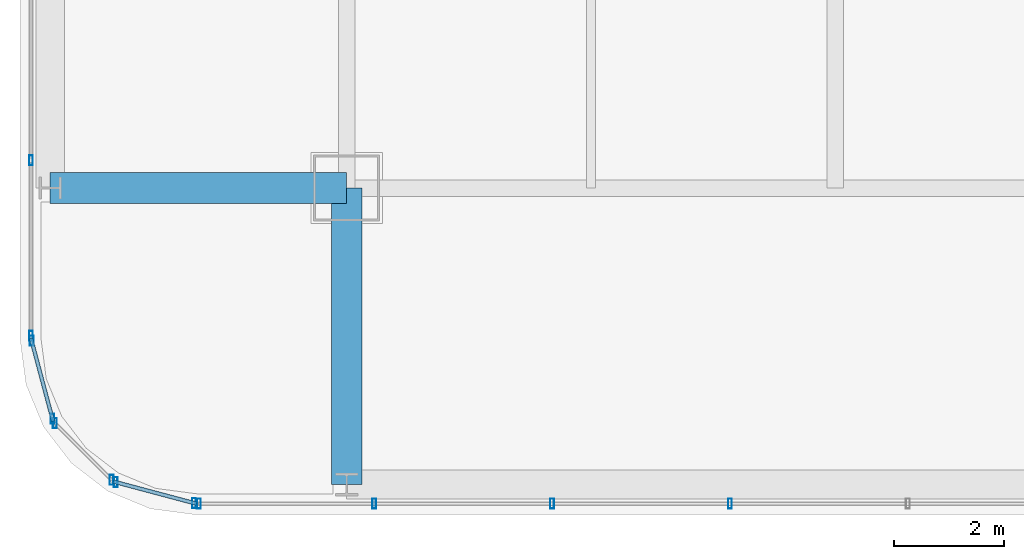
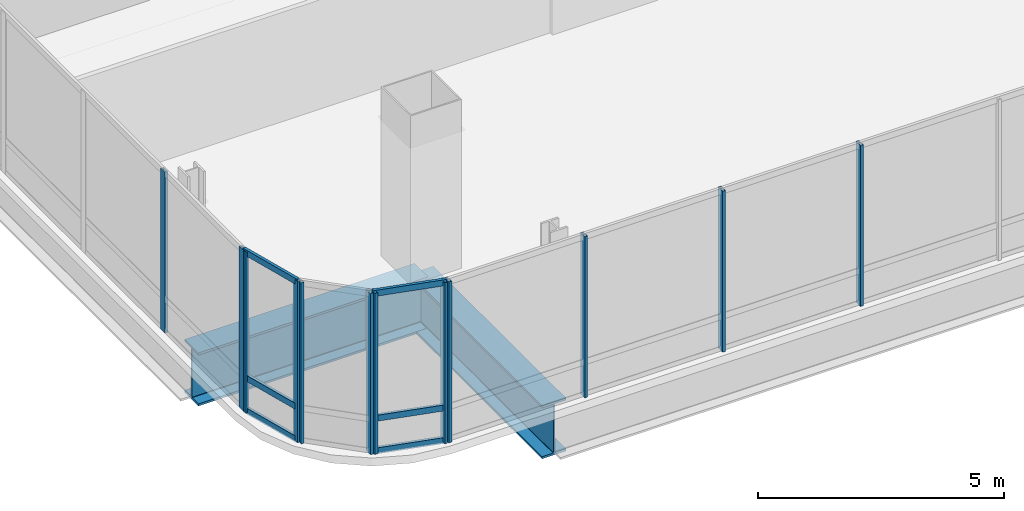
# One storey, part 2 of 43: 18 members, 2 beams, 5 elements without a shape of their own.
"""IFC4 building model written with IfcOpenShell, lengths in metres."""

from ifc_helpers import new_model, si_unit, direction, frame, origin, origin_2d, place, context, subcontext, project, spatial, hollow_rectangle, i_section, extrude, material, material_profile, profile_set, type_object, element, aggregate, save


model = new_model("IFC4")

# Units and contexts
model_context = context("Model", 3, precision=1e-05, world=origin(), true_north=direction((0.0, 1.0)))
body_context = subcontext(model_context, "Body", "Model", "MODEL_VIEW")
ifc_project = project(units=[si_unit("LENGTHUNIT", "METRE"), si_unit("AREAUNIT", "SQUARE_METRE"), si_unit("VOLUMEUNIT", "CUBIC_METRE"), si_unit("PLANEANGLEUNIT", "RADIAN"), si_unit("MASSUNIT", "GRAM", prefix="KILO")], contexts=[model_context])

# Site, building, storey
site_placement = place(None, origin())
site = spatial("IfcSite", under=ifc_project, at=site_placement, CompositionType="ELEMENT")
building_placement = place(site_placement, origin())
building = spatial("IfcBuilding", under=site, at=building_placement, Name="Punatoya Terracotta Tower", CompositionType="ELEMENT")
storey_placement = place(building_placement, frame((0.0, 0.0, 321.60009765625)))
storey = spatial("IfcBuildingStorey", under=building, at=storey_placement, Name="L76", CompositionType="ELEMENT", Elevation=321.60009765625)

# Beams
ifc_material_1 = material(Name="Steel S460", Category="steel")
ifc_material_profile_1 = material_profile(ifc_material_1, i_section(OverallWidth=0.56005859375, OverallDepth=1.320068359375, WebThickness=0.035888671875, FlangeThickness=0.054931640625, FilletRadius=0.01806640625, at=origin_2d()))
ifc_profile_set_1 = profile_set([ifc_material_profile_1], Name="Steel S460")
beam_type = type_object("IfcBeamType", Name="BM-TG-BLK", PredefinedType="BEAM", material=ifc_profile_set_1)
for number, where, z_axis, x_axis, name in (
    (1, (-24.5, -17.5, -0.860107421875), (1.0, 0.0, 0.0), (0.0, 1.0, 0.0), "BM-L76-CANT-W1"),
    (2, (-19.10009765625, -22.89990234375, -0.860107421875), (0.0, 1.0, 0.0), (-1.0, 0.0, 0.0), "BM-L76-CANT-S1"),
):
    element("IfcBeam", number, at=place(storey_placement, frame(where, z_axis=z_axis, x_axis=x_axis)), inside=storey, type_object=beam_type, Name=name, PredefinedType="BEAM", context=body_context, shape_type="SweptSolid", body=[
        extrude(i_section(OverallWidth=0.56005859375, OverallDepth=1.320068359375, WebThickness=0.035888671875, FlangeThickness=0.054931640625, FilletRadius=0.01806640625, at=origin_2d()), origin(), (0.0, 0.0, 1.0), 5.39990234375),
    ])

# Curtain wall, members
ifc_material_2 = material(Name="Aluminium 6063-T6 + Double Low-E Glass", Category="aluminium")
curtain_wall_type = type_object("IfcCurtainWallType", Name="CW-OBS", PredefinedType="NOTDEFINED", material=ifc_material_2)
curtain_wall_1_placement = place(storey_placement, origin())
curtain_wall_1 = element("IfcCurtainWall", 3, at=curtain_wall_1_placement, inside=storey, type_object=curtain_wall_type, Name="L76 Curtain Wall CW-L76-S01-1", PredefinedType="NOTDEFINED")
ifc_material_3 = material(Name="Aluminium 6063-T6", Category="aluminium")
ifc_material_profile_2 = material_profile(ifc_material_3, hollow_rectangle(XDim=0.070068359375, YDim=0.179931640625, WallThickness=0.00390625, at=origin_2d()))
ifc_profile_set_2 = profile_set([ifc_material_profile_2], Name="Aluminium 6063-T6")
member_type_1 = type_object("IfcMemberType", Name="CW-MUL-M3", PredefinedType="MULLION", material=ifc_profile_set_2)
member_1_placement = place(storey_placement, frame((-21.7919921875, -23.25, 0.0), z_axis=(0.0, 0.0, 1.0), x_axis=(1.0, 0.0, 0.0)))
member_1 = element("IfcMember", 4, at=member_1_placement, type_object=member_type_1, Name="CW-L76-S01-1 Mullion 00", PredefinedType="MULLION", context=body_context, shape_type="SweptSolid", body=[
    extrude(hollow_rectangle(XDim=0.070068359375, YDim=0.179931640625, WallThickness=0.00390625, at=origin_2d()), origin(), (0.0, 0.0, 1.0), 4.0),
])
member_2_placement = place(storey_placement, frame((-18.597412109375, -23.25, 0.0), z_axis=(0.0, 0.0, 1.0), x_axis=(1.0, 0.0, 0.0)))
member_2 = element("IfcMember", 5, at=member_2_placement, type_object=member_type_1, Name="CW-L76-S01-1 Mullion 01", PredefinedType="MULLION", context=body_context, shape_type="SweptSolid", body=[
    extrude(hollow_rectangle(XDim=0.070068359375, YDim=0.179931640625, WallThickness=0.00390625, at=origin_2d()), origin(), (0.0, 0.0, 1.0), 4.0),
])
member_3_placement = place(storey_placement, frame((-15.35791015625, -23.25, 0.0), z_axis=(0.0, 0.0, 1.0), x_axis=(1.0, 0.0, 0.0)))
member_3 = element("IfcMember", 6, at=member_3_placement, type_object=member_type_1, Name="CW-L76-S01-1 Mullion 02", PredefinedType="MULLION", context=body_context, shape_type="SweptSolid", body=[
    extrude(hollow_rectangle(XDim=0.070068359375, YDim=0.179931640625, WallThickness=0.00390625, at=origin_2d()), origin(), (0.0, 0.0, 1.0), 4.0),
])
member_4_placement = place(storey_placement, frame((-12.118408203125, -23.25, 0.0), z_axis=(0.0, 0.0, 1.0), x_axis=(1.0, 0.0, 0.0)))
member_4 = element("IfcMember", 7, at=member_4_placement, type_object=member_type_1, Name="CW-L76-S01-1 Mullion 03", PredefinedType="MULLION", context=body_context, shape_type="SweptSolid", body=[
    extrude(hollow_rectangle(XDim=0.070068359375, YDim=0.179931640625, WallThickness=0.00390625, at=origin_2d()), origin(), (0.0, 0.0, 1.0), 4.0),
])
aggregate(curtain_wall_1, [member_1, member_2, member_3, member_4])

curtain_wall_2_placement = place(storey_placement, origin())
curtain_wall_2 = element("IfcCurtainWall", 8, at=curtain_wall_2_placement, inside=storey, type_object=curtain_wall_type, Name="L76 Curtain Wall CW-L76-W13-1", PredefinedType="NOTDEFINED")
member_5_placement = place(storey_placement, frame((-24.85009765625, -16.993896484375, 0.0), z_axis=(0.0, 0.0, 1.0), x_axis=(1.0, 0.0, 0.0)))
member_5 = element("IfcMember", 9, at=member_5_placement, type_object=member_type_1, Name="CW-L76-W13-1 Mullion 10", PredefinedType="MULLION", context=body_context, shape_type="SweptSolid", body=[
    extrude(hollow_rectangle(XDim=0.070068359375, YDim=0.179931640625, WallThickness=0.00390625, at=origin_2d()), origin(), (0.0, 0.0, 1.0), 4.0),
])
member_6_placement = place(storey_placement, frame((-24.85009765625, -20.19189453125, 0.0), z_axis=(0.0, 0.0, 1.0), x_axis=(1.0, 0.0, 0.0)))
member_6 = element("IfcMember", 10, at=member_6_placement, type_object=member_type_1, Name="CW-L76-W13-1 Mullion 11", PredefinedType="MULLION", context=body_context, shape_type="SweptSolid", body=[
    extrude(hollow_rectangle(XDim=0.070068359375, YDim=0.179931640625, WallThickness=0.00390625, at=origin_2d()), origin(), (0.0, 0.0, 1.0), 4.0),
])
aggregate(curtain_wall_2, [member_5, member_6])

curtain_wall_3_placement = place(storey_placement, origin())
curtain_wall_3 = element("IfcCurtainWall", 11, at=curtain_wall_3_placement, inside=storey, type_object=curtain_wall_type, Name="L76 Curtain Wall CW-L76-CRN14", PredefinedType="NOTDEFINED")
member_7_placement = place(storey_placement, frame((-24.83837890625, -20.280517578125, 0.0), z_axis=(0.0, 0.0, 1.0), x_axis=(1.0, 0.0, 0.0)))
member_7 = element("IfcMember", 12, at=member_7_placement, type_object=member_type_1, Name="CW-L76-CRN14 Mullion 00", PredefinedType="MULLION", context=body_context, shape_type="SweptSolid", body=[
    extrude(hollow_rectangle(XDim=0.070068359375, YDim=0.179931640625, WallThickness=0.00390625, at=origin_2d()), origin(), (0.0, 0.0, 1.0), 4.0),
])
member_8_placement = place(storey_placement, frame((-24.458251953125, -21.70556640625, 0.0), z_axis=(0.0, 0.0, 1.0), x_axis=(1.0, 0.0, 0.0)))
member_8 = element("IfcMember", 13, at=member_8_placement, type_object=member_type_1, Name="CW-L76-CRN14 Mullion 01", PredefinedType="MULLION", context=body_context, shape_type="SweptSolid", body=[
    extrude(hollow_rectangle(XDim=0.070068359375, YDim=0.179931640625, WallThickness=0.00390625, at=origin_2d()), origin(), (0.0, 0.0, 1.0), 4.0),
])

curtain_wall_4_placement = place(storey_placement, origin())
curtain_wall_4 = element("IfcCurtainWall", 14, at=curtain_wall_4_placement, inside=storey, type_object=curtain_wall_type, Name="L76 Curtain Wall CW-L76-CRN15", PredefinedType="NOTDEFINED")
member_9_placement = place(storey_placement, frame((-24.414794921875, -21.781005859375, 0.0), z_axis=(0.0, 0.0, 1.0), x_axis=(1.0, 0.0, 0.0)))
member_9 = element("IfcMember", 15, at=member_9_placement, type_object=member_type_1, Name="CW-L76-CRN15 Mullion 00", PredefinedType="MULLION", context=body_context, shape_type="SweptSolid", body=[
    extrude(hollow_rectangle(XDim=0.070068359375, YDim=0.179931640625, WallThickness=0.00390625, at=origin_2d()), origin(), (0.0, 0.0, 1.0), 4.0),
])
member_10_placement = place(storey_placement, frame((-23.380859375, -22.814697265625, 0.0), z_axis=(0.0, 0.0, 1.0), x_axis=(1.0, 0.0, 0.0)))
member_10 = element("IfcMember", 16, at=member_10_placement, type_object=member_type_1, Name="CW-L76-CRN15 Mullion 01", PredefinedType="MULLION", context=body_context, shape_type="SweptSolid", body=[
    extrude(hollow_rectangle(XDim=0.070068359375, YDim=0.179931640625, WallThickness=0.00390625, at=origin_2d()), origin(), (0.0, 0.0, 1.0), 4.0),
])
aggregate(curtain_wall_4, [member_9, member_10])

curtain_wall_5_placement = place(storey_placement, origin())
curtain_wall_5 = element("IfcCurtainWall", 17, at=curtain_wall_5_placement, inside=storey, type_object=curtain_wall_type, Name="L76 Curtain Wall CW-L76-CRN16", PredefinedType="NOTDEFINED")
member_11_placement = place(storey_placement, frame((-23.3056640625, -22.858154296875, 0.0), z_axis=(0.0, 0.0, 1.0), x_axis=(1.0, 0.0, 0.0)))
member_11 = element("IfcMember", 18, at=member_11_placement, type_object=member_type_1, Name="CW-L76-CRN16 Mullion 00", PredefinedType="MULLION", context=body_context, shape_type="SweptSolid", body=[
    extrude(hollow_rectangle(XDim=0.070068359375, YDim=0.179931640625, WallThickness=0.00390625, at=origin_2d()), origin(), (0.0, 0.0, 1.0), 4.0),
])
member_12_placement = place(storey_placement, frame((-21.88037109375, -23.23828125, 0.0), z_axis=(0.0, 0.0, 1.0), x_axis=(1.0, 0.0, 0.0)))
member_12 = element("IfcMember", 19, at=member_12_placement, type_object=member_type_1, Name="CW-L76-CRN16 Mullion 01", PredefinedType="MULLION", context=body_context, shape_type="SweptSolid", body=[
    extrude(hollow_rectangle(XDim=0.070068359375, YDim=0.179931640625, WallThickness=0.00390625, at=origin_2d()), origin(), (0.0, 0.0, 1.0), 4.0),
])

# Member
ifc_material_profile_3 = material_profile(ifc_material_3, hollow_rectangle(XDim=0.068115234375, YDim=0.14990234375, WallThickness=0.00390625, at=origin_2d()))
ifc_profile_set_3 = profile_set([ifc_material_profile_3], Name="Aluminium 6063-T6")
member_type_2 = type_object("IfcMemberType", Name="CW-TRN-TYP", PredefinedType="USERDEFINED", material=ifc_profile_set_3)
member_13_placement = place(storey_placement, frame((-24.85009765625, -20.23681640625, 0.039794921875), z_axis=(0.257847112249, -0.966185730957, 0.0), x_axis=(0.966185730957, 0.257847112249, 0.0)))
member_13 = element("IfcMember", 20, at=member_13_placement, type_object=member_type_2, Name="CW-L76-CRN14 Transom 1", ObjectType="TRANSOM", PredefinedType="USERDEFINED", context=body_context, shape_type="SweptSolid", body=[
    extrude(hollow_rectangle(XDim=0.068115234375, YDim=0.14990234375, WallThickness=0.00390625, at=origin_2d()), origin(), (0.0, 0.0, 1.0), 1.565185546875),
])

member_14_placement = place(storey_placement, frame((-24.85009765625, -20.23681640625, 0.849853515625), z_axis=(0.257847112249, -0.966185730957, 0.0), x_axis=(0.966185730957, 0.257847112249, 0.0)))
member_14 = element("IfcMember", 21, at=member_14_placement, type_object=member_type_2, Name="CW-L76-CRN14 Transom 2", ObjectType="TRANSOM", PredefinedType="USERDEFINED", context=body_context, shape_type="SweptSolid", body=[
    extrude(hollow_rectangle(XDim=0.068115234375, YDim=0.14990234375, WallThickness=0.00390625, at=origin_2d()), origin(), (0.0, 0.0, 1.0), 1.565185546875),
])

member_15_placement = place(storey_placement, frame((-24.85009765625, -20.23681640625, 3.9599609375), z_axis=(0.257847112249, -0.966185730957, 0.0), x_axis=(0.966185730957, 0.257847112249, 0.0)))
member_15 = element("IfcMember", 22, at=member_15_placement, type_object=member_type_2, Name="CW-L76-CRN14 Transom 3", ObjectType="TRANSOM", PredefinedType="USERDEFINED", context=body_context, shape_type="SweptSolid", body=[
    extrude(hollow_rectangle(XDim=0.068115234375, YDim=0.14990234375, WallThickness=0.00390625, at=origin_2d()), origin(), (0.0, 0.0, 1.0), 1.565185546875),
])

aggregate(curtain_wall_3, [member_7, member_8, member_13, member_14, member_15])

member_16_placement = place(storey_placement, frame((-23.34912109375, -22.8466796875, 0.039794921875), z_axis=(0.966224582397, -0.257701486942, 0.0), x_axis=(0.257701486942, 0.966224582397, 0.0)))
member_16 = element("IfcMember", 23, at=member_16_placement, type_object=member_type_2, Name="CW-L76-CRN16 Transom 1", ObjectType="TRANSOM", PredefinedType="USERDEFINED", context=body_context, shape_type="SweptSolid", body=[
    extrude(hollow_rectangle(XDim=0.068115234375, YDim=0.14990234375, WallThickness=0.00390625, at=origin_2d()), origin(), (0.0, 0.0, 1.0), 1.565185546875),
])

member_17_placement = place(storey_placement, frame((-23.34912109375, -22.8466796875, 0.849853515625), z_axis=(0.966224582397, -0.257701486942, 0.0), x_axis=(0.257701486942, 0.966224582397, 0.0)))
member_17 = element("IfcMember", 24, at=member_17_placement, type_object=member_type_2, Name="CW-L76-CRN16 Transom 2", ObjectType="TRANSOM", PredefinedType="USERDEFINED", context=body_context, shape_type="SweptSolid", body=[
    extrude(hollow_rectangle(XDim=0.068115234375, YDim=0.14990234375, WallThickness=0.00390625, at=origin_2d()), origin(), (0.0, 0.0, 1.0), 1.565185546875),
])

member_18_placement = place(storey_placement, frame((-23.34912109375, -22.8466796875, 3.9599609375), z_axis=(0.966224582397, -0.257701486942, 0.0), x_axis=(0.257701486942, 0.966224582397, 0.0)))
member_18 = element("IfcMember", 25, at=member_18_placement, type_object=member_type_2, Name="CW-L76-CRN16 Transom 3", ObjectType="TRANSOM", PredefinedType="USERDEFINED", context=body_context, shape_type="SweptSolid", body=[
    extrude(hollow_rectangle(XDim=0.068115234375, YDim=0.14990234375, WallThickness=0.00390625, at=origin_2d()), origin(), (0.0, 0.0, 1.0), 1.565185546875),
])

aggregate(curtain_wall_5, [member_11, member_12, member_16, member_17, member_18])

save(model, "model.ifc")
